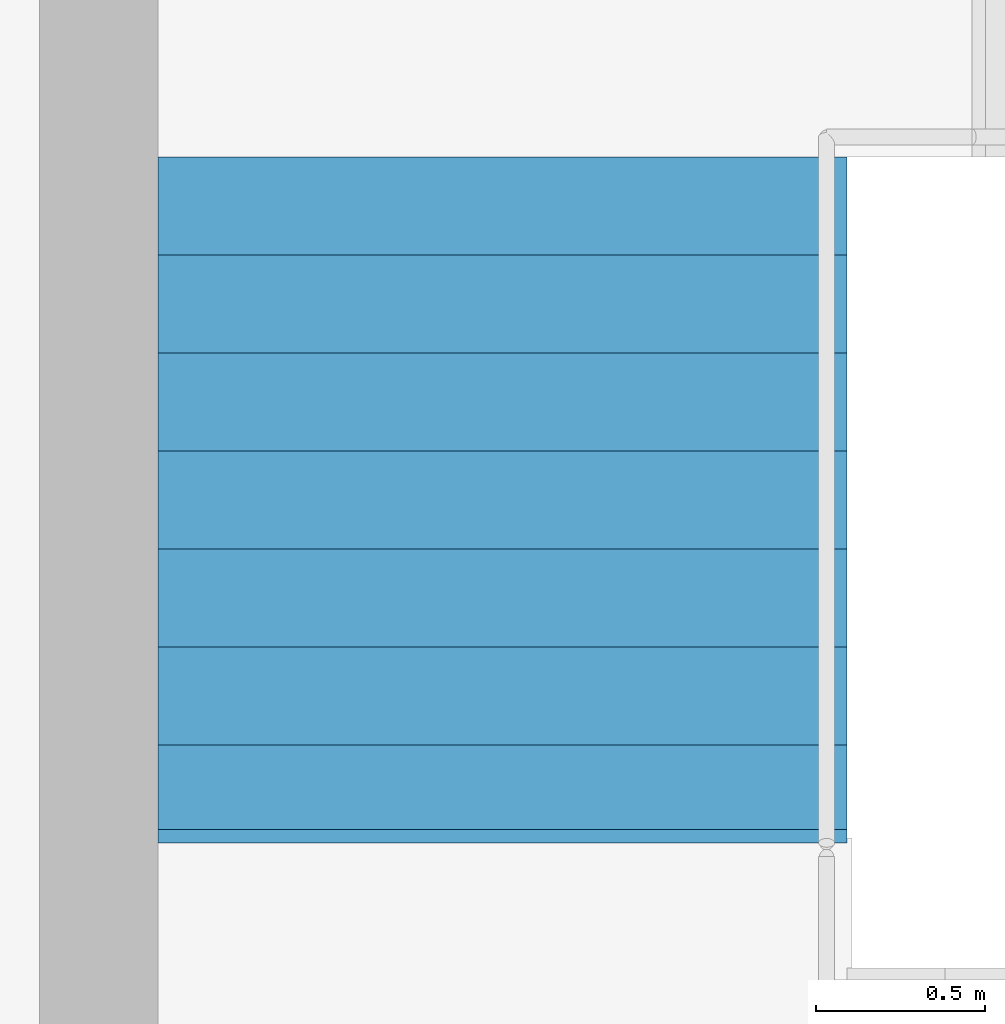
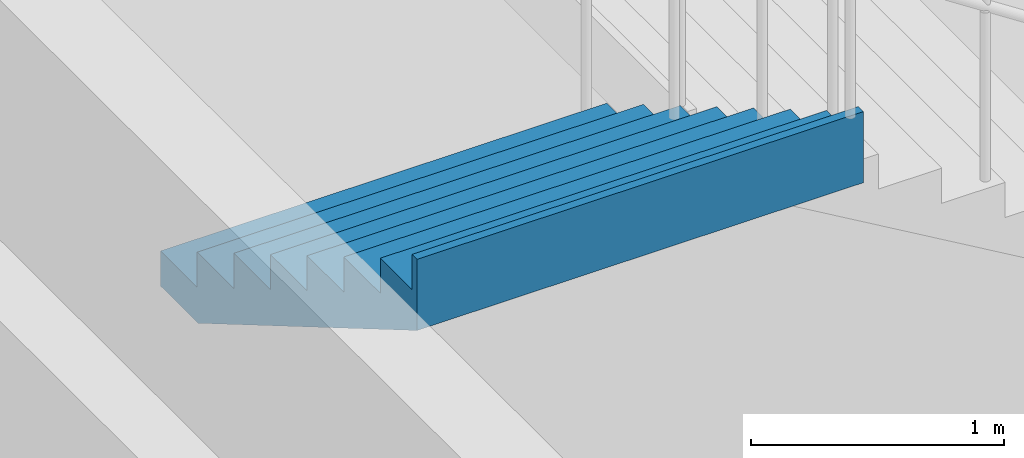
# One storey, part 50 of 74: 1 stair flight, 1 element without a shape of its own.
"""IFC4 building model written with IfcOpenShell, lengths in metres."""

from ifc_helpers import new_model, si_unit, direction, frame, origin, place, context, subcontext, project, spatial, triangles, material, type_object, element, aggregate, save


model = new_model("IFC4")

# Units and contexts
model_context = context("Model", 3, precision=1e-05, world=origin(), true_north=direction((0.0, 1.0)))
body_context = subcontext(model_context, "Body", "Model", "MODEL_VIEW")
ifc_project = project(units=[si_unit("LENGTHUNIT", "METRE"), si_unit("AREAUNIT", "SQUARE_METRE"), si_unit("VOLUMEUNIT", "CUBIC_METRE"), si_unit("PLANEANGLEUNIT", "RADIAN"), si_unit("MASSUNIT", "GRAM", prefix="KILO")], contexts=[model_context])

# Site, building, storey
site_placement = place(None, origin())
site = spatial("IfcSite", under=ifc_project, at=site_placement, CompositionType="ELEMENT")
building_placement = place(site_placement, origin())
building = spatial("IfcBuilding", under=site, at=building_placement, Name="Sillaruma Civic Art Gallery", CompositionType="ELEMENT")
storey_placement = place(building_placement, frame((0.0, 0.0, 5.43994140625)))
storey = spatial("IfcBuildingStorey", under=building, at=storey_placement, Name="L01", CompositionType="ELEMENT", Elevation=5.43994140625)

# Stair, stair flight
ifc_material = material(Name="Concrete H35 (35 MPa)", Category="concrete")
stair_type = type_object("IfcStairType", Name="STR-4F-32", PredefinedType="USERDEFINED", material=ifc_material)
stair_placement = place(storey_placement, origin())
stair = element("IfcStair", 1, at=stair_placement, inside=storey, type_object=stair_type, Name="Protected Exit Stair ST-03 (West Bar South) (L01)", ObjectType="THREE_RETURN_STAIR", PredefinedType="USERDEFINED")
stair_flight_type = type_object("IfcStairFlightType", Name="SFL-STR-8", PredefinedType="STRAIGHT", material=ifc_material)
stair_flight_placement = place(storey_placement, frame((63.780029296875, 35.85009765625, 4.080078125), z_axis=(0.0, 0.0, 1.0), x_axis=(0.0, -1.0, 0.0)))
stair_flight = element("IfcStairFlight", 2, at=stair_flight_placement, type_object=stair_flight_type, Name="ST-03 flight 4", NumberOfRisers=8, NumberOfTreads=7, PredefinedType="STRAIGHT", RiserHeight=0.17, TreadLength=0.29, context=body_context, shape_type="Tessellation", body=[
    triangles([(0.0, -1.02001953125, 0.0), (0.29, -1.02001953125, 0.0), (0.296443, -1.02001953125, 0.0), (0.58, -1.02001953125, 0.166223), (0.87, -1.02001953125, 0.336223), (1.16, -1.02001953125, 0.506223), (1.45, -1.02001953125, 0.676223), (1.74, -1.02001953125, 0.846223), (1.990029, -1.02001953125, 0.992792), (2.030029, -1.02001953125, 1.01624), (2.030029, -1.02001953125, 1.36), (1.990029, -1.02001953125, 1.36), (1.990029, -1.02001953125, 1.19), (1.74, -1.02001953125, 1.19), (1.74, -1.02001953125, 1.02), (1.45, -1.02001953125, 1.02), (1.45, -1.02001953125, 0.85), (1.16, -1.02001953125, 0.85), (1.16, -1.02001953125, 0.68), (0.87, -1.02001953125, 0.68), (0.87, -1.02001953125, 0.51), (0.58, -1.02001953125, 0.51), (0.58, -1.02001953125, 0.34), (0.296443, -1.02001953125, 0.34), (0.29, -1.02001953125, 0.34), (0.29, -1.02001953125, 0.17), (0.0, -1.02001953125, 0.17), (0.0, -0.05, 0.0), (0.29, -0.05, 0.0), (0.296443, -0.05, 0.0), (0.58, -0.05, 0.166223), (0.87, -0.05, 0.336223), (1.16, -0.05, 0.506223), (1.45, -0.05, 0.676223), (1.74, -0.05, 0.846223), (1.990029, -0.05, 0.992792), (2.030029, -0.05, 1.01624), (2.030029, -0.05, 1.36), (1.990029, -0.05, 1.36), (1.990029, -0.05, 1.19), (1.74, -0.05, 1.19), (1.74, -0.05, 1.02), (1.45, -0.05, 1.02), (1.45, -0.05, 0.85), (1.16, -0.05, 0.85), (1.16, -0.05, 0.68), (0.87, -0.05, 0.68), (0.87, -0.05, 0.51), (0.58, -0.05, 0.51), (0.58, -0.05, 0.34), (0.296443, -0.05, 0.34), (0.29, -0.05, 0.34), (0.29, -0.05, 0.17), (0.0, -0.05, 0.17), (0.0, -0.0375, 0.0), (0.29, -0.0375, 0.0), (0.296443, -0.0375, 0.0), (0.58, -0.0375, 0.166223), (0.87, -0.0375, 0.336223), (1.16, -0.0375, 0.506223), (1.45, -0.0375, 0.676223), (1.74, -0.0375, 0.846223), (1.990029, -0.0375, 0.992792), (2.030029, -0.0375, 1.01624), (2.030029, -0.0375, 1.36), (1.990029, -0.0375, 1.36), (1.990029, -0.0375, 1.19), (1.74, -0.0375, 1.19), (1.74, -0.0375, 1.02), (1.45, -0.0375, 1.02), (1.45, -0.0375, 0.85), (1.16, -0.0375, 0.85), (1.16, -0.0375, 0.68), (0.87, -0.0375, 0.68), (0.87, -0.0375, 0.51), (0.58, -0.0375, 0.51), (0.58, -0.0375, 0.34), (0.296443, -0.0375, 0.34), (0.29, -0.0375, 0.34), (0.29, -0.0375, 0.17), (0.0, -0.0375, 0.17), (0.0, -0.025, 0.0), (0.29, -0.025, 0.0), (0.296443, -0.025, 0.0), (0.58, -0.025, 0.166223), (0.87, -0.025, 0.336223), (1.16, -0.025, 0.506223), (1.45, -0.025, 0.676223), (1.74, -0.025, 0.846223), (1.990029, -0.025, 0.992792), (2.030029, -0.025, 1.01624), (2.030029, -0.025, 1.36), (1.990029, -0.025, 1.36), (1.990029, -0.025, 1.19), (1.74, -0.025, 1.19), (1.74, -0.025, 1.02), (1.45, -0.025, 1.02), (1.45, -0.025, 0.85), (1.16, -0.025, 0.85), (1.16, -0.025, 0.68), (0.87, -0.025, 0.68), (0.87, -0.025, 0.51), (0.58, -0.025, 0.51), (0.58, -0.025, 0.34), (0.296443, -0.025, 0.34), (0.29, -0.025, 0.34), (0.29, -0.025, 0.17), (0.0, -0.025, 0.17), (0.0, -0.0125, 0.0), (0.29, -0.0125, 0.0), (0.296443, -0.0125, 0.0), (0.58, -0.0125, 0.166223), (0.87, -0.0125, 0.336223), (1.16, -0.0125, 0.506223), (1.45, -0.0125, 0.676223), (1.74, -0.0125, 0.846223), (1.990029, -0.0125, 0.992792), (2.030029, -0.0125, 1.01624), (2.030029, -0.0125, 1.36), (1.990029, -0.0125, 1.36), (1.990029, -0.0125, 1.19), (1.74, -0.0125, 1.19), (1.74, -0.0125, 1.02), (1.45, -0.0125, 1.02), (1.45, -0.0125, 0.85), (1.16, -0.0125, 0.85), (1.16, -0.0125, 0.68), (0.87, -0.0125, 0.68), (0.87, -0.0125, 0.51), (0.58, -0.0125, 0.51), (0.58, -0.0125, 0.34), (0.296443, -0.0125, 0.34), (0.29, -0.0125, 0.34), (0.29, -0.0125, 0.17), (0.0, -0.0125, 0.17), (0.0, 0.0, 0.0), (0.29, 0.0, 0.0), (0.296443, 0.0, 0.0), (0.58, 0.0, 0.166223), (0.87, 0.0, 0.336223), (1.16, 0.0, 0.506223), (1.45, 0.0, 0.676223), (1.74, 0.0, 0.846223), (1.990029, 0.0, 0.992792), (2.030029, 0.0, 1.01624), (2.030029, 0.0, 1.36), (1.990029, 0.0, 1.36), (1.990029, 0.0, 1.19), (1.74, 0.0, 1.19), (1.74, 0.0, 1.02), (1.45, 0.0, 1.02), (1.45, 0.0, 0.85), (1.16, 0.0, 0.85), (1.16, 0.0, 0.68), (0.87, 0.0, 0.68), (0.87, 0.0, 0.51), (0.58, 0.0, 0.51), (0.58, 0.0, 0.34), (0.296443, 0.0, 0.34), (0.29, 0.0, 0.34), (0.29, 0.0, 0.17), (0.0, 0.0, 0.17), (0.0, 0.0125, 0.0), (0.29, 0.0125, 0.0), (0.296443, 0.0125, 0.0), (0.58, 0.0125, 0.166223), (0.87, 0.0125, 0.336223), (1.16, 0.0125, 0.506223), (1.45, 0.0125, 0.676223), (1.74, 0.0125, 0.846223), (1.990029, 0.0125, 0.992792), (2.030029, 0.0125, 1.01624), (2.030029, 0.0125, 1.36), (1.990029, 0.0125, 1.36), (1.990029, 0.0125, 1.19), (1.74, 0.0125, 1.19), (1.74, 0.0125, 1.02), (1.45, 0.0125, 1.02), (1.45, 0.0125, 0.85), (1.16, 0.0125, 0.85), (1.16, 0.0125, 0.68), (0.87, 0.0125, 0.68), (0.87, 0.0125, 0.51), (0.58, 0.0125, 0.51), (0.58, 0.0125, 0.34), (0.296443, 0.0125, 0.34), (0.29, 0.0125, 0.34), (0.29, 0.0125, 0.17), (0.0, 0.0125, 0.17), (0.0, 0.025, 0.0), (0.29, 0.025, 0.0), (0.296443, 0.025, 0.0), (0.58, 0.025, 0.166223), (0.87, 0.025, 0.336223), (1.16, 0.025, 0.506223), (1.45, 0.025, 0.676223), (1.74, 0.025, 0.846223), (1.990029, 0.025, 0.992792), (2.030029, 0.025, 1.01624), (2.030029, 0.025, 1.36), (1.990029, 0.025, 1.36), (1.990029, 0.025, 1.19), (1.74, 0.025, 1.19), (1.74, 0.025, 1.02), (1.45, 0.025, 1.02), (1.45, 0.025, 0.85), (1.16, 0.025, 0.85), (1.16, 0.025, 0.68), (0.87, 0.025, 0.68), (0.87, 0.025, 0.51), (0.58, 0.025, 0.51), (0.58, 0.025, 0.34), (0.296443, 0.025, 0.34), (0.29, 0.025, 0.34), (0.29, 0.025, 0.17), (0.0, 0.025, 0.17), (0.0, 0.0375, 0.0), (0.29, 0.0375, 0.0), (0.296443, 0.0375, 0.0), (0.58, 0.0375, 0.166223), (0.87, 0.0375, 0.336223), (1.16, 0.0375, 0.506223), (1.45, 0.0375, 0.676223), (1.74, 0.0375, 0.846223), (1.990029, 0.0375, 0.992792), (2.030029, 0.0375, 1.01624), (2.030029, 0.0375, 1.36), (1.990029, 0.0375, 1.36), (1.990029, 0.0375, 1.19), (1.74, 0.0375, 1.19), (1.74, 0.0375, 1.02), (1.45, 0.0375, 1.02), (1.45, 0.0375, 0.85), (1.16, 0.0375, 0.85), (1.16, 0.0375, 0.68), (0.87, 0.0375, 0.68), (0.87, 0.0375, 0.51), (0.58, 0.0375, 0.51), (0.58, 0.0375, 0.34), (0.296443, 0.0375, 0.34), (0.29, 0.0375, 0.34), (0.29, 0.0375, 0.17), (0.0, 0.0375, 0.17), (0.0, 0.05, 0.0), (0.29, 0.05, 0.0), (0.296443, 0.05, 0.0), (0.58, 0.05, 0.166223), (0.87, 0.05, 0.336223), (1.16, 0.05, 0.506223), (1.45, 0.05, 0.676223), (1.74, 0.05, 0.846223), (1.990029, 0.05, 0.992792), (2.030029, 0.05, 1.01624), (2.030029, 0.05, 1.36), (1.990029, 0.05, 1.36), (1.990029, 0.05, 1.19), (1.74, 0.05, 1.19), (1.74, 0.05, 1.02), (1.45, 0.05, 1.02), (1.45, 0.05, 0.85), (1.16, 0.05, 0.85), (1.16, 0.05, 0.68), (0.87, 0.05, 0.68), (0.87, 0.05, 0.51), (0.58, 0.05, 0.51), (0.58, 0.05, 0.34), (0.296443, 0.05, 0.34), (0.29, 0.05, 0.34), (0.29, 0.05, 0.17), (0.0, 0.05, 0.17), (0.0, 1.02001953125, 0.0), (0.29, 1.02001953125, 0.0), (0.296443, 1.02001953125, 0.0), (0.58, 1.02001953125, 0.166223), (0.87, 1.02001953125, 0.336223), (1.16, 1.02001953125, 0.506223), (1.45, 1.02001953125, 0.676223), (1.74, 1.02001953125, 0.846223), (1.990029, 1.02001953125, 0.992792), (2.030029, 1.02001953125, 1.01624), (2.030029, 1.02001953125, 1.36), (1.990029, 1.02001953125, 1.36), (1.990029, 1.02001953125, 1.19), (1.74, 1.02001953125, 1.19), (1.74, 1.02001953125, 1.02), (1.45, 1.02001953125, 1.02), (1.45, 1.02001953125, 0.85), (1.16, 1.02001953125, 0.85), (1.16, 1.02001953125, 0.68), (0.87, 1.02001953125, 0.68), (0.87, 1.02001953125, 0.51), (0.58, 1.02001953125, 0.51), (0.58, 1.02001953125, 0.34), (0.296443, 1.02001953125, 0.34), (0.29, 1.02001953125, 0.34), (0.29, 1.02001953125, 0.17), (0.0, 1.02001953125, 0.17)], [[1, 2, 26], [1, 26, 27], [2, 3, 24], [2, 24, 26], [26, 24, 25], [3, 4, 23], [3, 23, 24], [4, 5, 21], [4, 21, 23], [23, 21, 22], [5, 6, 19], [5, 19, 21], [21, 19, 20], [6, 7, 17], [6, 17, 19], [19, 17, 18], [7, 8, 15], [7, 15, 17], [17, 15, 16], [8, 9, 13], [8, 13, 15], [15, 13, 14], [9, 10, 11], [9, 11, 13], [13, 11, 12], [296, 272, 271], [297, 296, 271], [294, 273, 272], [296, 294, 272], [295, 294, 296], [293, 274, 273], [294, 293, 273], [291, 275, 274], [293, 291, 274], [292, 291, 293], [289, 276, 275], [291, 289, 275], [290, 289, 291], [287, 277, 276], [289, 287, 276], [288, 287, 289], [285, 278, 277], [287, 285, 277], [286, 285, 287], [283, 279, 278], [285, 283, 278], [284, 283, 285], [281, 280, 279], [283, 281, 279], [282, 281, 283], [2, 1, 28], [2, 28, 29], [3, 2, 29], [3, 29, 30], [4, 3, 30], [4, 30, 31], [5, 4, 31], [5, 31, 32], [6, 5, 32], [6, 32, 33], [7, 6, 33], [7, 33, 34], [8, 7, 34], [8, 34, 35], [9, 8, 35], [9, 35, 36], [10, 9, 36], [10, 36, 37], [11, 10, 37], [11, 37, 38], [12, 11, 38], [12, 38, 39], [13, 12, 39], [13, 39, 40], [14, 13, 40], [14, 40, 41], [15, 14, 41], [15, 41, 42], [16, 15, 42], [16, 42, 43], [17, 16, 43], [17, 43, 44], [18, 17, 44], [18, 44, 45], [19, 18, 45], [19, 45, 46], [20, 19, 46], [20, 46, 47], [21, 20, 47], [21, 47, 48], [22, 21, 48], [22, 48, 49], [23, 22, 49], [23, 49, 50], [24, 23, 50], [24, 50, 51], [25, 24, 51], [25, 51, 52], [26, 25, 52], [26, 52, 53], [27, 26, 53], [27, 53, 54], [1, 27, 54], [1, 54, 28], [29, 28, 55], [29, 55, 56], [30, 29, 56], [30, 56, 57], [31, 30, 57], [31, 57, 58], [32, 31, 58], [32, 58, 59], [33, 32, 59], [33, 59, 60], [34, 33, 60], [34, 60, 61], [35, 34, 61], [35, 61, 62], [36, 35, 62], [36, 62, 63], [37, 36, 63], [37, 63, 64], [38, 37, 64], [38, 64, 65], [39, 38, 65], [39, 65, 66], [40, 39, 66], [40, 66, 67], [41, 40, 67], [41, 67, 68], [42, 41, 68], [42, 68, 69], [43, 42, 69], [43, 69, 70], [44, 43, 70], [44, 70, 71], [45, 44, 71], [45, 71, 72], [46, 45, 72], [46, 72, 73], [47, 46, 73], [47, 73, 74], [48, 47, 74], [48, 74, 75], [49, 48, 75], [49, 75, 76], [50, 49, 76], [50, 76, 77], [51, 50, 77], [51, 77, 78], [52, 51, 78], [52, 78, 79], [53, 52, 79], [53, 79, 80], [54, 53, 80], [54, 80, 81], [28, 54, 81], [28, 81, 55], [56, 55, 82], [56, 82, 83], [57, 56, 83], [57, 83, 84], [58, 57, 84], [58, 84, 85], [59, 58, 85], [59, 85, 86], [60, 59, 86], [60, 86, 87], [61, 60, 87], [61, 87, 88], [62, 61, 88], [62, 88, 89], [63, 62, 89], [63, 89, 90], [64, 63, 90], [64, 90, 91], [65, 64, 91], [65, 91, 92], [66, 65, 92], [66, 92, 93], [67, 66, 93], [67, 93, 94], [68, 67, 94], [68, 94, 95], [69, 68, 95], [69, 95, 96], [70, 69, 96], [70, 96, 97], [71, 70, 97], [71, 97, 98], [72, 71, 98], [72, 98, 99], [73, 72, 99], [73, 99, 100], [74, 73, 100], [74, 100, 101], [75, 74, 101], [75, 101, 102], [76, 75, 102], [76, 102, 103], [77, 76, 103], [77, 103, 104], [78, 77, 104], [78, 104, 105], [79, 78, 105], [79, 105, 106], [80, 79, 106], [80, 106, 107], [81, 80, 107], [81, 107, 108], [55, 81, 108], [55, 108, 82], [83, 82, 109], [83, 109, 110], [84, 83, 110], [84, 110, 111], [85, 84, 111], [85, 111, 112], [86, 85, 112], [86, 112, 113], [87, 86, 113], [87, 113, 114], [88, 87, 114], [88, 114, 115], [89, 88, 115], [89, 115, 116], [90, 89, 116], [90, 116, 117], [91, 90, 117], [91, 117, 118], [92, 91, 118], [92, 118, 119], [93, 92, 119], [93, 119, 120], [94, 93, 120], [94, 120, 121], [95, 94, 121], [95, 121, 122], [96, 95, 122], [96, 122, 123], [97, 96, 123], [97, 123, 124], [98, 97, 124], [98, 124, 125], [99, 98, 125], [99, 125, 126], [100, 99, 126], [100, 126, 127], [101, 100, 127], [101, 127, 128], [102, 101, 128], [102, 128, 129], [103, 102, 129], [103, 129, 130], [104, 103, 130], [104, 130, 131], [105, 104, 131], [105, 131, 132], [106, 105, 132], [106, 132, 133], [107, 106, 133], [107, 133, 134], [108, 107, 134], [108, 134, 135], [82, 108, 135], [82, 135, 109], [110, 109, 136], [110, 136, 137], [111, 110, 137], [111, 137, 138], [112, 111, 138], [112, 138, 139], [113, 112, 139], [113, 139, 140], [114, 113, 140], [114, 140, 141], [115, 114, 141], [115, 141, 142], [116, 115, 142], [116, 142, 143], [117, 116, 143], [117, 143, 144], [118, 117, 144], [118, 144, 145], [119, 118, 145], [119, 145, 146], [120, 119, 146], [120, 146, 147], [121, 120, 147], [121, 147, 148], [122, 121, 148], [122, 148, 149], [123, 122, 149], [123, 149, 150], [124, 123, 150], [124, 150, 151], [125, 124, 151], [125, 151, 152], [126, 125, 152], [126, 152, 153], [127, 126, 153], [127, 153, 154], [128, 127, 154], [128, 154, 155], [129, 128, 155], [129, 155, 156], [130, 129, 156], [130, 156, 157], [131, 130, 157], [131, 157, 158], [132, 131, 158], [132, 158, 159], [133, 132, 159], [133, 159, 160], [134, 133, 160], [134, 160, 161], [135, 134, 161], [135, 161, 162], [109, 135, 162], [109, 162, 136], [137, 136, 163], [137, 163, 164], [138, 137, 164], [138, 164, 165], [139, 138, 165], [139, 165, 166], [140, 139, 166], [140, 166, 167], [141, 140, 167], [141, 167, 168], [142, 141, 168], [142, 168, 169], [143, 142, 169], [143, 169, 170], [144, 143, 170], [144, 170, 171], [145, 144, 171], [145, 171, 172], [146, 145, 172], [146, 172, 173], [147, 146, 173], [147, 173, 174], [148, 147, 174], [148, 174, 175], [149, 148, 175], [149, 175, 176], [150, 149, 176], [150, 176, 177], [151, 150, 177], [151, 177, 178], [152, 151, 178], [152, 178, 179], [153, 152, 179], [153, 179, 180], [154, 153, 180], [154, 180, 181], [155, 154, 181], [155, 181, 182], [156, 155, 182], [156, 182, 183], [157, 156, 183], [157, 183, 184], [158, 157, 184], [158, 184, 185], [159, 158, 185], [159, 185, 186], [160, 159, 186], [160, 186, 187], [161, 160, 187], [161, 187, 188], [162, 161, 188], [162, 188, 189], [136, 162, 189], [136, 189, 163], [164, 163, 190], [164, 190, 191], [165, 164, 191], [165, 191, 192], [166, 165, 192], [166, 192, 193], [167, 166, 193], [167, 193, 194], [168, 167, 194], [168, 194, 195], [169, 168, 195], [169, 195, 196], [170, 169, 196], [170, 196, 197], [171, 170, 197], [171, 197, 198], [172, 171, 198], [172, 198, 199], [173, 172, 199], [173, 199, 200], [174, 173, 200], [174, 200, 201], [175, 174, 201], [175, 201, 202], [176, 175, 202], [176, 202, 203], [177, 176, 203], [177, 203, 204], [178, 177, 204], [178, 204, 205], [179, 178, 205], [179, 205, 206], [180, 179, 206], [180, 206, 207], [181, 180, 207], [181, 207, 208], [182, 181, 208], [182, 208, 209], [183, 182, 209], [183, 209, 210], [184, 183, 210], [184, 210, 211], [185, 184, 211], [185, 211, 212], [186, 185, 212], [186, 212, 213], [187, 186, 213], [187, 213, 214], [188, 187, 214], [188, 214, 215], [189, 188, 215], [189, 215, 216], [163, 189, 216], [163, 216, 190], [191, 190, 217], [191, 217, 218], [192, 191, 218], [192, 218, 219], [193, 192, 219], [193, 219, 220], [194, 193, 220], [194, 220, 221], [195, 194, 221], [195, 221, 222], [196, 195, 222], [196, 222, 223], [197, 196, 223], [197, 223, 224], [198, 197, 224], [198, 224, 225], [199, 198, 225], [199, 225, 226], [200, 199, 226], [200, 226, 227], [201, 200, 227], [201, 227, 228], [202, 201, 228], [202, 228, 229], [203, 202, 229], [203, 229, 230], [204, 203, 230], [204, 230, 231], [205, 204, 231], [205, 231, 232], [206, 205, 232], [206, 232, 233], [207, 206, 233], [207, 233, 234], [208, 207, 234], [208, 234, 235], [209, 208, 235], [209, 235, 236], [210, 209, 236], [210, 236, 237], [211, 210, 237], [211, 237, 238], [212, 211, 238], [212, 238, 239], [213, 212, 239], [213, 239, 240], [214, 213, 240], [214, 240, 241], [215, 214, 241], [215, 241, 242], [216, 215, 242], [216, 242, 243], [190, 216, 243], [190, 243, 217], [218, 217, 244], [218, 244, 245], [219, 218, 245], [219, 245, 246], [220, 219, 246], [220, 246, 247], [221, 220, 247], [221, 247, 248], [222, 221, 248], [222, 248, 249], [223, 222, 249], [223, 249, 250], [224, 223, 250], [224, 250, 251], [225, 224, 251], [225, 251, 252], [226, 225, 252], [226, 252, 253], [227, 226, 253], [227, 253, 254], [228, 227, 254], [228, 254, 255], [229, 228, 255], [229, 255, 256], [230, 229, 256], [230, 256, 257], [231, 230, 257], [231, 257, 258], [232, 231, 258], [232, 258, 259], [233, 232, 259], [233, 259, 260], [234, 233, 260], [234, 260, 261], [235, 234, 261], [235, 261, 262], [236, 235, 262], [236, 262, 263], [237, 236, 263], [237, 263, 264], [238, 237, 264], [238, 264, 265], [239, 238, 265], [239, 265, 266], [240, 239, 266], [240, 266, 267], [241, 240, 267], [241, 267, 268], [242, 241, 268], [242, 268, 269], [243, 242, 269], [243, 269, 270], [217, 243, 270], [217, 270, 244], [245, 244, 271], [245, 271, 272], [246, 245, 272], [246, 272, 273], [247, 246, 273], [247, 273, 274], [248, 247, 274], [248, 274, 275], [249, 248, 275], [249, 275, 276], [250, 249, 276], [250, 276, 277], [251, 250, 277], [251, 277, 278], [252, 251, 278], [252, 278, 279], [253, 252, 279], [253, 279, 280], [254, 253, 280], [254, 280, 281], [255, 254, 281], [255, 281, 282], [256, 255, 282], [256, 282, 283], [257, 256, 283], [257, 283, 284], [258, 257, 284], [258, 284, 285], [259, 258, 285], [259, 285, 286], [260, 259, 286], [260, 286, 287], [261, 260, 287], [261, 287, 288], [262, 261, 288], [262, 288, 289], [263, 262, 289], [263, 289, 290], [264, 263, 290], [264, 290, 291], [265, 264, 291], [265, 291, 292], [266, 265, 292], [266, 292, 293], [267, 266, 293], [267, 293, 294], [268, 267, 294], [268, 294, 295], [269, 268, 295], [269, 295, 296], [270, 269, 296], [270, 296, 297], [244, 270, 297], [244, 297, 271]], closed=True),
])
aggregate(stair, [stair_flight])

save(model, "model.ifc")
